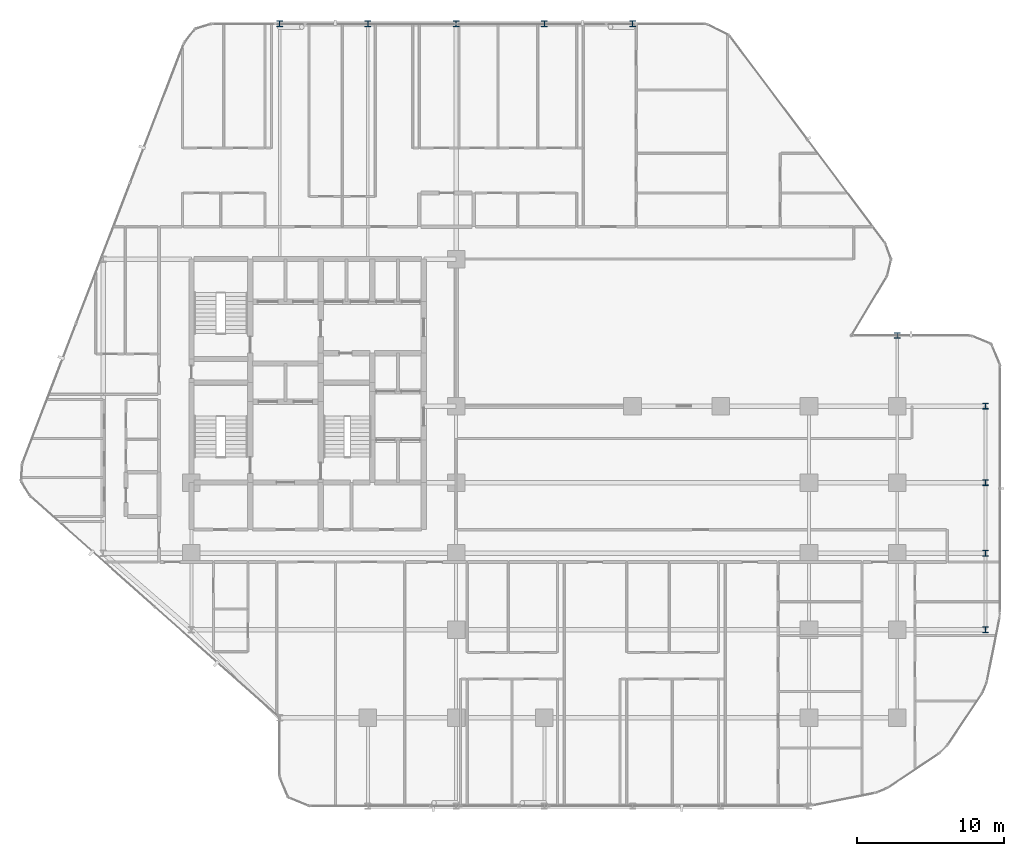
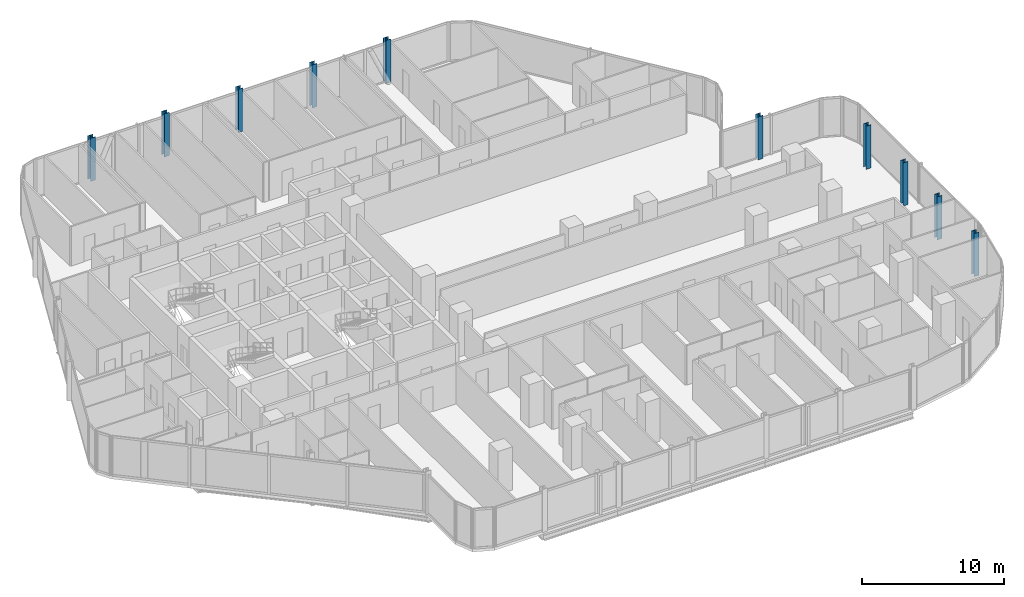
# One storey, part 2 of 34: 10 columns.
"""IFC4 building model written with IfcOpenShell, lengths in metres."""

from ifc_helpers import new_model, si_unit, direction, frame, origin, origin_2d, place, context, subcontext, project, spatial, i_section, extrude, material, material_profile, profile_set, type_object, element, save


model = new_model("IFC4")

# Units and contexts
model_context = context("Model", 3, precision=1e-05, world=origin(), true_north=direction((0.0, 1.0)))
body_context = subcontext(model_context, "Body", "Model", "MODEL_VIEW")
ifc_project = project(units=[si_unit("LENGTHUNIT", "METRE"), si_unit("AREAUNIT", "SQUARE_METRE"), si_unit("VOLUMEUNIT", "CUBIC_METRE"), si_unit("PLANEANGLEUNIT", "RADIAN"), si_unit("MASSUNIT", "GRAM", prefix="KILO")], contexts=[model_context])

# Site, building, storey
site_placement = place(None, origin())
site = spatial("IfcSite", under=ifc_project, at=site_placement, CompositionType="ELEMENT")
building_placement = place(site_placement, origin())
building = spatial("IfcBuilding", under=site, at=building_placement, Name="Keshet Zoharim Tower", CompositionType="ELEMENT")
storey_placement = place(building_placement, frame((0.0, 0.0, 70.10009765625)))
storey = spatial("IfcBuildingStorey", under=building, at=storey_placement, Name="L16", CompositionType="ELEMENT", Elevation=70.10009765625)

# Columns
ifc_material = material(Name="Steel S355", Category="steel")
ifc_material_profile = material_profile(ifc_material, i_section(OverallWidth=0.40087890625, OverallDepth=0.39892578125, WebThickness=0.02490234375, FlangeThickness=0.03955078125, FilletRadius=0.014892578125, at=origin_2d()), Name="HD400x314")
ifc_profile_set = profile_set([ifc_material_profile], Name="Steel S355")
column_type = type_object("IfcColumnType", Name="COL-HD314", PredefinedType="COLUMN", material=ifc_profile_set)
for number, where, z_axis, x_axis, name in (
    (1, (21.0, 53.89990234375, 0.0), (0.0, 0.0, 1.0), (1.0, 0.0, 0.0), "L16 Column 4L"),
    (2, (27.0, 53.89990234375, 0.0), (0.0, 0.0, 1.0), (1.0, 0.0, 0.0), "L16 Column 5L"),
    (3, (33.0, 53.89990234375, 0.0), (0.0, 0.0, 1.0), (1.0, 0.0, 0.0), "L16 Column 6L"),
    (4, (39.0, 53.89990234375, 0.0), (0.0, 0.0, 1.0), (1.0, 0.0, 0.0), "L16 Column 7L"),
    (5, (45.0, 53.89990234375, 0.0), (0.0, 0.0, 1.0), (1.0, 0.0, 0.0), "L16 Column 8L"),
    (6, (63.0, 32.699951171875, 0.0), (0.0, 0.0, 1.0), (1.0, 0.0, 0.0), "L16 Column 11G"),
    (7, (69.0, 12.699951171875, 0.0), (0.0, 0.0, 1.0), (1.0, 0.0, 0.0), "L16 Column 12C"),
    (8, (69.0, 17.89990234375, 0.0), (0.0, 0.0, 1.0), (1.0, 0.0, 0.0), "L16 Column 12D"),
    (9, (69.0, 22.699951171875, 0.0), (0.0, 0.0, 1.0), (1.0, 0.0, 0.0), "L16 Column 12E"),
    (10, (69.0, 27.89990234375, 0.0), (0.0, 0.0, 1.0), (1.0, 0.0, 0.0), "L16 Column 12F"),
):
    element("IfcColumn", number, at=place(storey_placement, frame(where, z_axis=z_axis, x_axis=x_axis)), inside=storey, type_object=column_type, Name=name, PredefinedType="COLUMN", context=body_context, shape_type="SweptSolid", body=[
        extrude(i_section(OverallWidth=0.40087890625, OverallDepth=0.39892578125, WebThickness=0.02490234375, FlangeThickness=0.03955078125, FilletRadius=0.014892578125, at=origin_2d()), origin(), (0.0, 0.0, 1.0), 3.699951171875),
    ])

save(model, "model.ifc")
